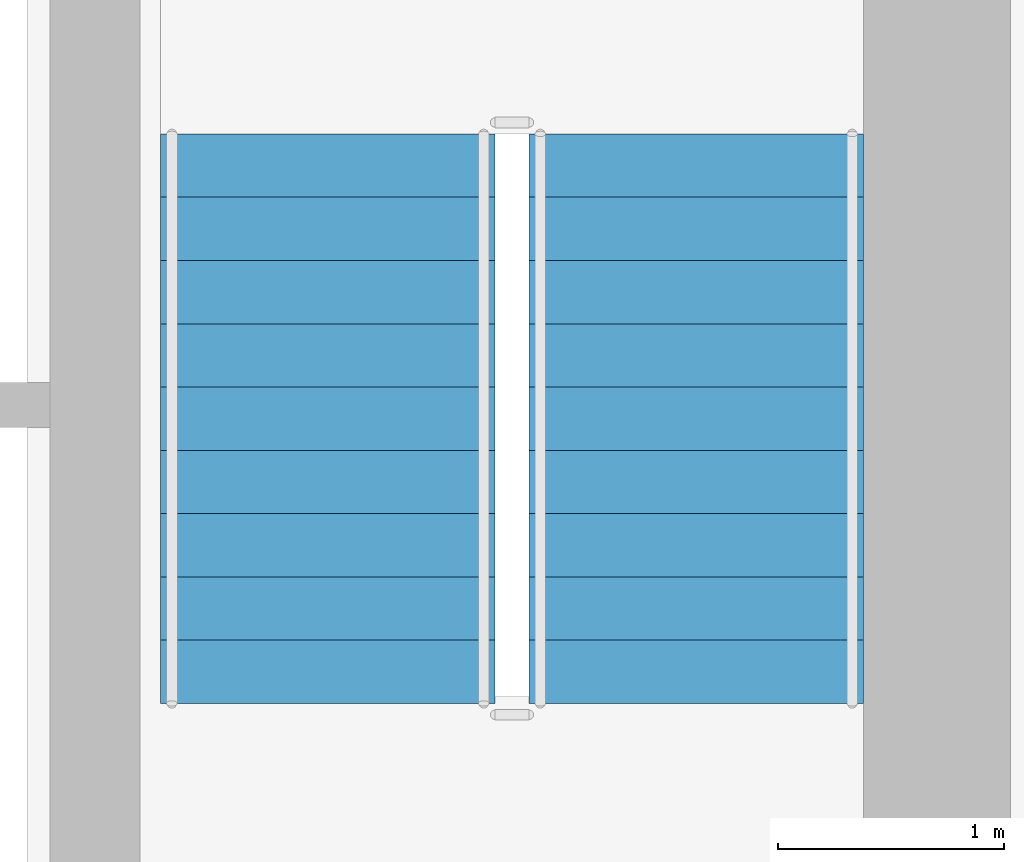
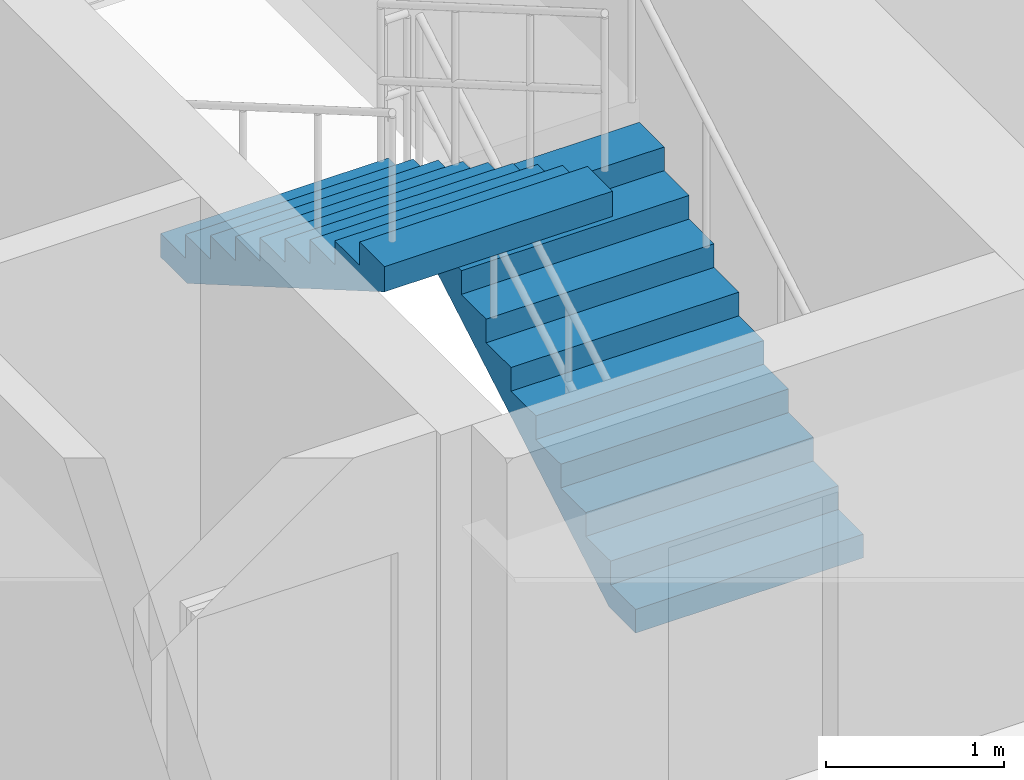
# One storey, part 28 of 30: 2 stair flights, 1 element without a shape of its own.
"""IFC4 building model written with IfcOpenShell, lengths in metres."""

from ifc_helpers import new_model, si_unit, direction, frame, origin, place, context, subcontext, project, spatial, polyline, outline, extrude, material, type_object, element, aggregate, save


model = new_model("IFC4")

# Units and contexts
model_context = context("Model", 3, precision=1e-05, world=origin(), true_north=direction((0.0, 1.0)))
body_context = subcontext(model_context, "Body", "Model", "MODEL_VIEW")
ifc_project = project(units=[si_unit("LENGTHUNIT", "METRE"), si_unit("AREAUNIT", "SQUARE_METRE"), si_unit("VOLUMEUNIT", "CUBIC_METRE"), si_unit("PLANEANGLEUNIT", "RADIAN"), si_unit("MASSUNIT", "GRAM", prefix="KILO")], contexts=[model_context])

# Site, building, storey
site_placement = place(None, origin())
site = spatial("IfcSite", under=ifc_project, at=site_placement, CompositionType="ELEMENT")
building_placement = place(site_placement, origin())
building = spatial("IfcBuilding", under=site, at=building_placement, Name="Veraguas Prism Commons", CompositionType="ELEMENT")
storey_placement = place(building_placement, frame((0.0, 0.0, 102.449951171875)))
storey = spatial("IfcBuildingStorey", under=building, at=storey_placement, Name="L28", CompositionType="ELEMENT", Elevation=102.449951171875)

# Stair, stair flights
ifc_material = material(Name="Precast concrete C45/55", Category="concrete")
stair_type = type_object("IfcStairType", Name="Dogleg Core Stair 1480W 20R 05", PredefinedType="HALF_TURN_STAIR", material=ifc_material)
stair_placement = place(storey_placement, origin())
stair = element("IfcStair", 1, at=stair_placement, inside=storey, type_object=stair_type, Name="Protected Exit Stair ST-02 L28", PredefinedType="HALF_TURN_STAIR")
stair_flight_type = type_object("IfcStairFlightType", Name="Precast Stair Flight 1480W 10R 05", PredefinedType="STRAIGHT", material=ifc_material)
stair_flight_1_placement = place(storey_placement, frame((29.659912109375, 21.280029296875, 0.0), z_axis=(0.0, 0.0, 1.0), x_axis=(0.0, 1.0, 0.0)))
stair_flight_1 = element("IfcStairFlight", 2, at=stair_flight_1_placement, type_object=stair_flight_type, Name="ST-05 Flight 1", NumberOfRisers=10, NumberOfTreads=9, PredefinedType="STRAIGHT", RiserHeight=0.1625, TreadLength=0.28, context=body_context, shape_type="SweptSolid", body=[
    extrude(outline(polyline([(0.0, 0.0), (0.0, 0.16259765625), (0.280029296875, 0.16259765625), (0.280029296875, 0.324951171875), (0.56005859375, 0.324951171875), (0.56005859375, 0.487548828125), (0.840087890625, 0.487548828125), (0.840087890625, 0.64990234375), (1.1201171875, 0.64990234375), (1.1201171875, 0.8125), (1.39990234375, 0.8125), (1.39990234375, 0.97509765625), (1.679931640625, 0.97509765625), (1.679931640625, 1.137451171875), (1.9599609375, 1.137451171875), (1.9599609375, 1.300048828125), (2.239990234375, 1.300048828125), (2.239990234375, 1.46240234375), (2.52001953125, 1.46240234375), (2.52001953125, 1.625), (2.52001953125, 1.2890625), (0.298583984375, 0.0), (0.0, 0.0)])), frame((0.0, 0.739990234375, 0.0), z_axis=(0.0, -1.0, 0.0), x_axis=(1.0, 0.0, 0.0)), (0.0, 0.0, 1.0), 1.47998046875),
])
stair_flight_2_placement = place(storey_placement, frame((28.030029296875, 23.800048828125, 1.625), z_axis=(0.0, 0.0, 1.0), x_axis=(0.0, -1.0, 0.0)))
stair_flight_2 = element("IfcStairFlight", 3, at=stair_flight_2_placement, type_object=stair_flight_type, Name="ST-05 Flight 2", NumberOfRisers=10, NumberOfTreads=9, PredefinedType="STRAIGHT", RiserHeight=0.1625, TreadLength=0.28, context=body_context, shape_type="SweptSolid", body=[
    extrude(outline(polyline([(0.0, 0.0), (0.0, 0.16259765625), (0.280029296875, 0.16259765625), (0.280029296875, 0.324951171875), (0.56005859375, 0.324951171875), (0.56005859375, 0.487548828125), (0.840087890625, 0.487548828125), (0.840087890625, 0.64990234375), (1.1201171875, 0.64990234375), (1.1201171875, 0.8125), (1.39990234375, 0.8125), (1.39990234375, 0.97509765625), (1.679931640625, 0.97509765625), (1.679931640625, 1.137451171875), (1.9599609375, 1.137451171875), (1.9599609375, 1.300048828125), (2.239990234375, 1.300048828125), (2.239990234375, 1.46240234375), (2.52001953125, 1.46240234375), (2.52001953125, 1.625), (2.52001953125, 1.2890625), (0.298583984375, 0.0), (0.0, 0.0)])), frame((0.0, 0.739990234375, 0.0), z_axis=(0.0, -1.0, 0.0), x_axis=(1.0, 0.0, 0.0)), (0.0, 0.0, 1.0), 1.47998046875),
])
aggregate(stair, [stair_flight_1, stair_flight_2])

save(model, "model.ifc")
